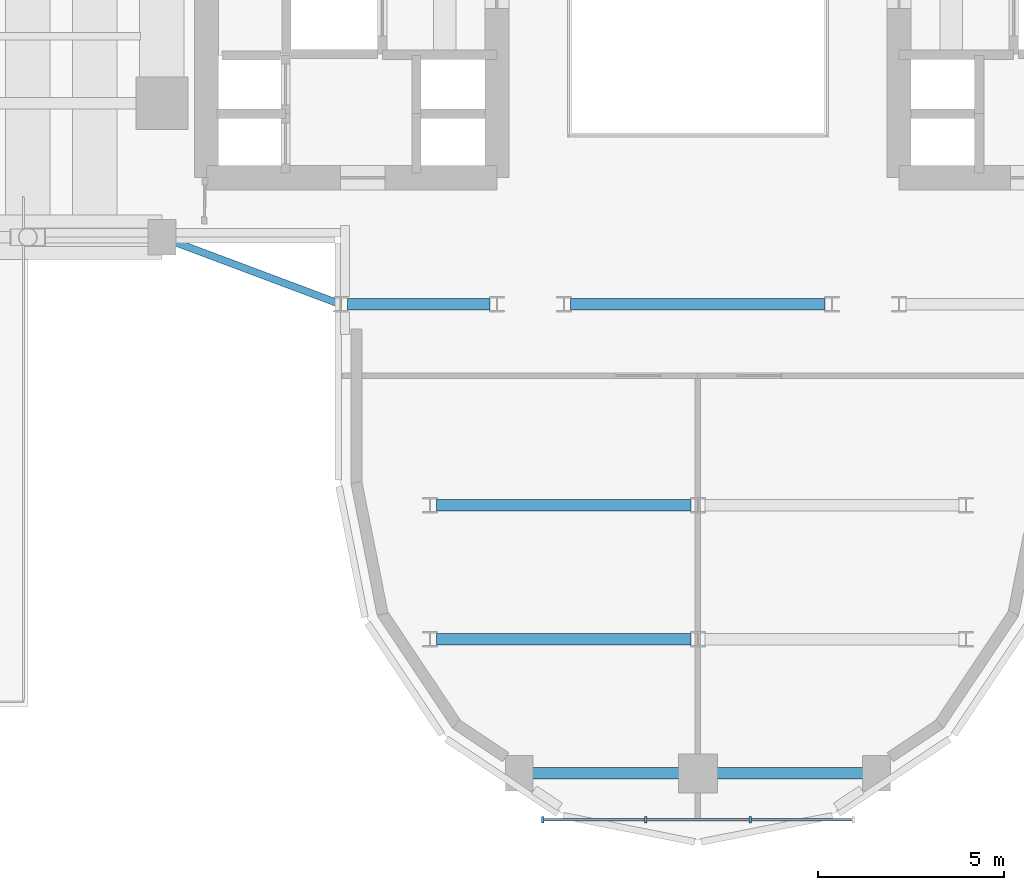
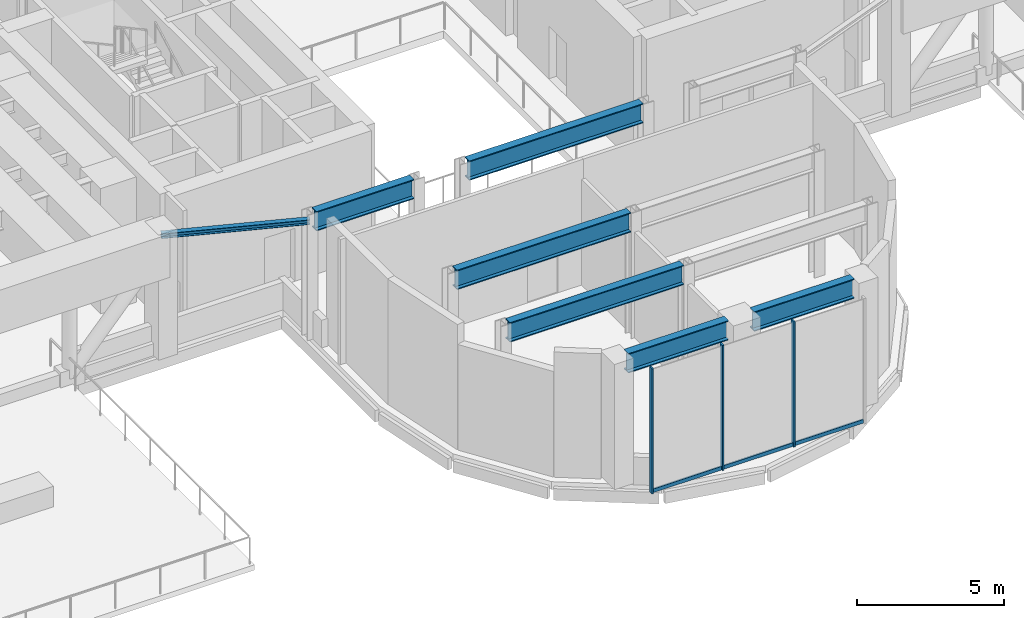
# One storey, part 3 of 16: 7 members, 6 beams, 1 element without a shape of its own.
"""IFC4 building model written with IfcOpenShell, lengths in metres."""

from ifc_helpers import new_model, si_unit, direction, frame, origin, origin_2d, place, context, subcontext, project, spatial, rectangle, i_section, extrude, source, transform, mapped, material, material_profile, profile_set, type_object, element, aggregate, save


model = new_model("IFC4")

# Units and contexts
model_context = context("Model", 3, precision=1e-05, world=origin(), true_north=direction((0.0, 1.0)))
body_context = subcontext(model_context, "Body", "Model", "MODEL_VIEW")
ifc_project = project(units=[si_unit("LENGTHUNIT", "METRE"), si_unit("AREAUNIT", "SQUARE_METRE"), si_unit("VOLUMEUNIT", "CUBIC_METRE"), si_unit("PLANEANGLEUNIT", "RADIAN"), si_unit("MASSUNIT", "GRAM", prefix="KILO")], contexts=[model_context])

# Site, building, storey
site_placement = place(None, origin())
site = spatial("IfcSite", under=ifc_project, at=site_placement, CompositionType="ELEMENT")
building_placement = place(site_placement, origin())
building = spatial("IfcBuilding", under=site, at=building_placement, Name="Keilestroom Media Tower", CompositionType="ELEMENT")
storey_placement = place(building_placement, frame((0.0, 0.0, 25.199951171875)))
storey = spatial("IfcBuildingStorey", under=building, at=storey_placement, Name="L05", CompositionType="ELEMENT", Elevation=25.199951171875)

# Beams
ifc_material_1 = material(Name="Steel S460", Category="steel")
ifc_material_profile_1 = material_profile(ifc_material_1, i_section(OverallWidth=0.302978515625, OverallDepth=0.81396484375, WebThickness=0.02099609375, FlangeThickness=0.0400390625, at=origin_2d()), Name="HEM 800")
ifc_profile_set_1 = profile_set([ifc_material_profile_1], Name="Steel S460")
beam_type = type_object("IfcBeamType", Name="Primary-Structural-Girder-HEM-800", PredefinedType="BEAM", material=ifc_profile_set_1)
shared_shape_1 = source(origin(), body_context, "Body", "SweptSolid", [
    extrude(i_section(OverallWidth=0.302978515625, OverallDepth=0.81396484375, WebThickness=0.02099609375, FlangeThickness=0.0400390625, at=origin_2d()), origin(), (0.0, 0.0, 1.0), 3.940185546875),
])
for number, where, z_axis, x_axis, name in (
    (1, (-4.445068359375, -21.60009765625, 4.79296875), (1.0, 0.0, 0.0), (0.0, 1.0, 0.0), "L05 Beam BG-1 BM-L05-EW-001"),
    (2, (0.5048828125, -21.60009765625, 4.79296875), (1.0, 0.0, 0.0), (0.0, 1.0, 0.0), "L05 Beam BG-1 BM-L05-EW-002"),
):
    element("IfcBeam", number, at=place(storey_placement, frame(where, z_axis=z_axis, x_axis=x_axis)), inside=storey, type_object=beam_type, Name=name, PredefinedType="BEAM", context=body_context, shape_type="MappedRepresentation", body=[
        mapped(shared_shape_1, transform((0.0, 0.0, 0.0), x_axis=(1.0, 0.0, 0.0), y_axis=(0.0, 1.0, 0.0), z_axis=(0.0, 0.0, 1.0), scale=1.0)),
    ])
shared_shape_2 = source(origin(), body_context, "Body", "SweptSolid", [
    extrude(i_section(OverallWidth=0.302978515625, OverallDepth=0.81396484375, WebThickness=0.02099609375, FlangeThickness=0.0400390625, at=origin_2d()), origin(), (0.0, 0.0, 1.0), 6.833984375),
])
for number, where, z_axis, x_axis, name in (
    (3, (-7.01708984375, -18.0, 4.79296875), (1.0, 0.0, 0.0), (0.0, 1.0, 0.0), "L05 Beam BG-1 BM-L05-EW-003"),
    (4, (-7.01708984375, -14.39990234375, 4.79296875), (1.0, 0.0, 0.0), (0.0, 1.0, 0.0), "L05 Beam BG-1 BM-L05-EW-005"),
    (5, (-3.4169921875, -9.0, 4.79296875), (1.0, 0.0, 0.0), (0.0, 1.0, 0.0), "L05 Beam BG-1 BM-L05-EW-009"),
):
    element("IfcBeam", number, at=place(storey_placement, frame(where, z_axis=z_axis, x_axis=x_axis)), inside=storey, type_object=beam_type, Name=name, PredefinedType="BEAM", context=body_context, shape_type="MappedRepresentation", body=[
        mapped(shared_shape_2, transform((0.0, 0.0, 0.0), x_axis=(1.0, 0.0, 0.0), y_axis=(0.0, 1.0, 0.0), z_axis=(0.0, 0.0, 1.0), scale=1.0)),
    ])
shared_shape_3 = source(origin(), body_context, "Body", "SweptSolid", [
    extrude(i_section(OverallWidth=0.302978515625, OverallDepth=0.81396484375, WebThickness=0.02099609375, FlangeThickness=0.0400390625, at=origin_2d()), origin(), (0.0, 0.0, 1.0), 3.833984375),
])
beam_placement = place(storey_placement, frame((-9.4169921875, -9.0, 4.79296875), z_axis=(1.0, 0.0, 0.0), x_axis=(0.0, 1.0, 0.0)))
element("IfcBeam", 6, at=beam_placement, inside=storey, type_object=beam_type, Name="L05 Beam BG-1 BM-L05-EW-007", PredefinedType="BEAM", context=body_context, shape_type="MappedRepresentation", body=[
    mapped(shared_shape_3, transform((0.0, 0.0, 0.0), x_axis=(1.0, 0.0, 0.0), y_axis=(0.0, 1.0, 0.0), z_axis=(0.0, 0.0, 1.0), scale=1.0)),
])

# Member
ifc_material_2 = material(Name="Steel S355", Category="steel")
ifc_material_profile_2 = material_profile(ifc_material_2, i_section(OverallWidth=0.199951171875, OverallDepth=0.199951171875, WebThickness=0.009033203125, FlangeThickness=0.014892578125, at=origin_2d()), Name="HEB 200")
ifc_profile_set_2 = profile_set([ifc_material_profile_2], Name="Steel S355")
member_type_1 = type_object("IfcMemberType", Name="Outrigger-And-Belt-Brace-HEB-200", PredefinedType="BRACE", material=ifc_profile_set_2)
shared_shape_4 = source(origin(), body_context, "Body", "SweptSolid", [
    extrude(i_section(OverallWidth=0.199951171875, OverallDepth=0.199951171875, WebThickness=0.009033203125, FlangeThickness=0.014892578125, at=origin_2d()), origin(), (0.0, 0.0, 1.0), 5.126220703125),
])
member_1_placement = place(storey_placement, frame((-14.39990234375, -7.199951171875, 4.800048828125), z_axis=(0.936321348453, -0.351144318522, 0.0), x_axis=(0.351144318522, 0.936321348453, 0.0)))
element("IfcMember", 7, at=member_1_placement, inside=storey, type_object=member_type_1, Name="L05 Horizontal Diaphragm Brace TBR-3", PredefinedType="BRACE", context=body_context, shape_type="MappedRepresentation", body=[
    mapped(shared_shape_4, transform((0.0, 0.0, 0.0), x_axis=(1.0, 0.0, 0.0), y_axis=(0.0, 1.0, 0.0), z_axis=(0.0, 0.0, 1.0), scale=1.0)),
])

# Curtain wall, members
ifc_material_3 = material(Name="Anodised Aluminium Alloy", Category="aluminium")
curtain_wall_type = type_object("IfcCurtainWallType", Name="Unitised-Curtain-Wall-CW-6", PredefinedType="NOTDEFINED", material=ifc_material_3)
curtain_wall_placement = place(storey_placement, origin())
curtain_wall = element("IfcCurtainWall", 8, at=curtain_wall_placement, inside=storey, type_object=curtain_wall_type, Name="L05 Curtain Wall CW-6 CW-L05-S", PredefinedType="NOTDEFINED")
ifc_material_profile_3 = material_profile(ifc_material_3, rectangle(XDim=0.06494140625, YDim=0.179931640625, at=origin_2d()), Name="ALU MULLION 65x180")
ifc_profile_set_3 = profile_set([ifc_material_profile_3], Name="Anodised Aluminium Alloy")
member_type_2 = type_object("IfcMemberType", Name="Curtain-Wall-Mullion-CW-6", PredefinedType="MULLION", material=ifc_profile_set_3)
shared_shape_5 = source(origin(), body_context, "Body", "SweptSolid", [
    extrude(rectangle(XDim=0.06494140625, YDim=0.179931640625, at=origin_2d()), origin(), (0.0, 0.0, 1.0), 5.199951171875),
])
member_2_placement = place(storey_placement, frame((-4.16748046875, -22.85009765625, 0.0), z_axis=(0.0, 0.0, 1.0), x_axis=(1.0, 0.0, 0.0)))
member_2 = element("IfcMember", 9, at=member_2_placement, type_object=member_type_2, Name="CW-6 Mullion 00", PredefinedType="MULLION", context=body_context, shape_type="MappedRepresentation", body=[
    mapped(shared_shape_5, transform((0.0, 0.0, 0.0), x_axis=(1.0, 0.0, 0.0), y_axis=(0.0, 1.0, 0.0), z_axis=(0.0, 0.0, 1.0), scale=1.0)),
])
member_3_placement = place(storey_placement, frame((-1.39990234375, -22.85009765625, 0.0), z_axis=(0.0, 0.0, 1.0), x_axis=(1.0, 0.0, 0.0)))
member_3 = element("IfcMember", 10, at=member_3_placement, type_object=member_type_2, Name="CW-6 Mullion 01", PredefinedType="MULLION", context=body_context, shape_type="MappedRepresentation", body=[
    mapped(shared_shape_5, transform((0.0, 0.0, 0.0), x_axis=(1.0, 0.0, 0.0), y_axis=(0.0, 1.0, 0.0), z_axis=(0.0, 0.0, 1.0), scale=1.0)),
])
member_4_placement = place(storey_placement, frame((1.39990234375, -22.85009765625, 0.0), z_axis=(0.0, 0.0, 1.0), x_axis=(1.0, 0.0, 0.0)))
member_4 = element("IfcMember", 11, at=member_4_placement, type_object=member_type_2, Name="CW-6 Mullion 02", PredefinedType="MULLION", context=body_context, shape_type="MappedRepresentation", body=[
    mapped(shared_shape_5, transform((0.0, 0.0, 0.0), x_axis=(1.0, 0.0, 0.0), y_axis=(0.0, 1.0, 0.0), z_axis=(0.0, 0.0, 1.0), scale=1.0)),
])
ifc_material_profile_4 = material_profile(ifc_material_3, rectangle(XDim=0.06494140625, YDim=0.14990234375, at=origin_2d()), Name="ALU TRANSOM 65x150")
ifc_profile_set_4 = profile_set([ifc_material_profile_4], Name="Anodised Aluminium Alloy")
member_type_3 = type_object("IfcMemberType", Name="Curtain-Wall-Transom-CW-6", PredefinedType="USERDEFINED", material=ifc_profile_set_4)
shared_shape_6 = source(origin(), body_context, "Body", "SweptSolid", [
    extrude(rectangle(XDim=0.06494140625, YDim=0.14990234375, at=origin_2d()), origin(), (0.0, 0.0, 1.0), 2.70654296875),
])
member_5_placement = place(storey_placement, frame((-4.136962890625, -22.85009765625, 0.074951171875), z_axis=(1.0, 0.0, 0.0), x_axis=(0.0, 1.0, 0.0)))
member_5 = element("IfcMember", 12, at=member_5_placement, type_object=member_type_3, Name="CW-6 Transom 00.1", ObjectType="TRANSOM", PredefinedType="USERDEFINED", context=body_context, shape_type="MappedRepresentation", body=[
    mapped(shared_shape_6, transform((0.0, 0.0, 0.0), x_axis=(1.0, 0.0, 0.0), y_axis=(0.0, 1.0, 0.0), z_axis=(0.0, 0.0, 1.0), scale=1.0)),
])
member_6_placement = place(storey_placement, frame((1.430419921875, -22.85009765625, 0.074951171875), z_axis=(1.0, 0.0, 0.0), x_axis=(0.0, 1.0, 0.0)))
member_6 = element("IfcMember", 13, at=member_6_placement, type_object=member_type_3, Name="CW-6 Transom 02.1", ObjectType="TRANSOM", PredefinedType="USERDEFINED", context=body_context, shape_type="MappedRepresentation", body=[
    mapped(shared_shape_6, transform((0.0, 0.0, 0.0), x_axis=(1.0, 0.0, 0.0), y_axis=(0.0, 1.0, 0.0), z_axis=(0.0, 0.0, 1.0), scale=1.0)),
])
shared_shape_7 = source(origin(), body_context, "Body", "SweptSolid", [
    extrude(rectangle(XDim=0.06494140625, YDim=0.14990234375, at=origin_2d()), origin(), (0.0, 0.0, 1.0), 2.73876953125),
])
member_7_placement = place(storey_placement, frame((-1.369384765625, -22.85009765625, 0.074951171875), z_axis=(1.0, 0.0, 0.0), x_axis=(0.0, 1.0, 0.0)))
member_7 = element("IfcMember", 14, at=member_7_placement, type_object=member_type_3, Name="CW-6 Transom 01.1", ObjectType="TRANSOM", PredefinedType="USERDEFINED", context=body_context, shape_type="MappedRepresentation", body=[
    mapped(shared_shape_7, transform((0.0, 0.0, 0.0), x_axis=(1.0, 0.0, 0.0), y_axis=(0.0, 1.0, 0.0), z_axis=(0.0, 0.0, 1.0), scale=1.0)),
])
aggregate(curtain_wall, [member_2, member_3, member_4, member_5, member_7, member_6])

save(model, "model.ifc")
